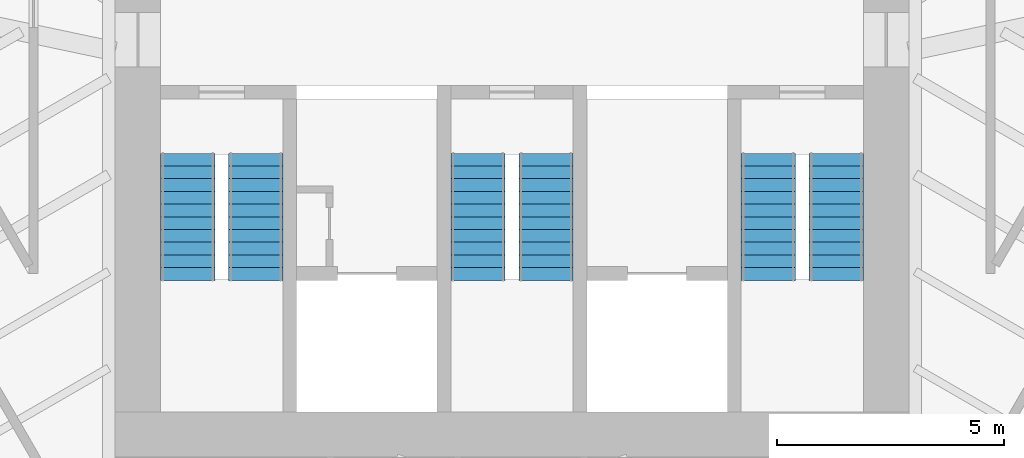
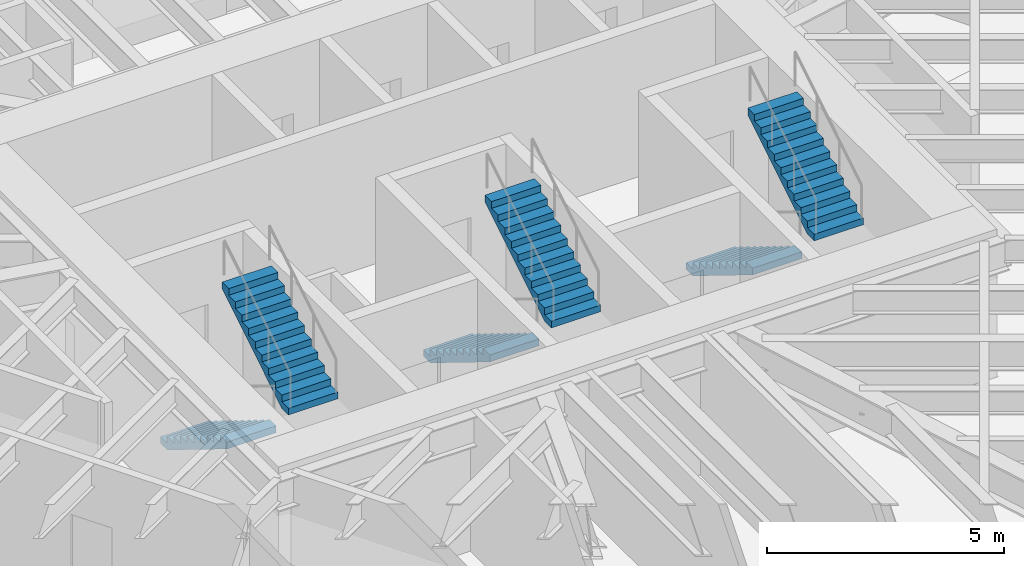
# One storey, part 15 of 16: 6 stair flights, 3 elements without a shape of their own.
"""IFC4 building model written with IfcOpenShell, lengths in metres."""

from ifc_helpers import new_model, si_unit, direction, frame, origin, place, context, subcontext, project, spatial, polyline, outline, extrude, material, type_object, element, aggregate, save


model = new_model("IFC4")

# Units and contexts
model_context = context("Model", 3, precision=1e-05, world=origin(), true_north=direction((0.0, 1.0)))
body_context = subcontext(model_context, "Body", "Model", "MODEL_VIEW")
ifc_project = project(units=[si_unit("LENGTHUNIT", "METRE"), si_unit("AREAUNIT", "SQUARE_METRE"), si_unit("VOLUMEUNIT", "CUBIC_METRE"), si_unit("PLANEANGLEUNIT", "RADIAN"), si_unit("MASSUNIT", "GRAM", prefix="KILO")], contexts=[model_context])

# Site, building, storey
site_placement = place(None, origin())
site = spatial("IfcSite", under=ifc_project, at=site_placement, CompositionType="ELEMENT")
building_placement = place(site_placement, origin())
building = spatial("IfcBuilding", under=site, at=building_placement, Name="Sandreach Pilgrim Tower", CompositionType="ELEMENT")
storey_placement = place(building_placement, frame((0.0, 0.0, 228.800048828125)))
storey = spatial("IfcBuildingStorey", under=building, at=storey_placement, Name="L57", CompositionType="ELEMENT", Elevation=228.800048828125)

# Stair, stair flights
ifc_material_1 = material(Name="Concrete 8000 psi", Category="concrete")
stair_type = type_object("IfcStairType", Name="Core exit stair", PredefinedType="HALF_TURN_STAIR", material=ifc_material_1)
stair_1_placement = place(storey_placement, origin())
stair_1 = element("IfcStair", 1, at=stair_1_placement, inside=storey, type_object=stair_type, Name="Exit stair ST1 L57", PredefinedType="HALF_TURN_STAIR")
ifc_material_2 = material(Name="Concrete 8000 psi", Category="concrete")
stair_flight_type = type_object("IfcStairFlightType", Name="Core stair flight 1200", PredefinedType="STRAIGHT", material=ifc_material_2)
stair_flight_1_placement = place(storey_placement, frame((-7.14990234375, -0.39990234375, 0.0), z_axis=(0.0, 0.0, 1.0), x_axis=(0.0, -1.0, 0.0)))
stair_flight_1 = element("IfcStairFlight", 2, at=stair_flight_1_placement, type_object=stair_flight_type, Name="ST1 flight 1", NumberOfRisers=11, NumberOfTreads=10, PredefinedType="STRAIGHT", RiserHeight=0.172727273, TreadLength=0.28, context=body_context, shape_type="SweptSolid", body=[
    extrude(outline(polyline([(0.0, 0.0), (0.0, 0.172607421875), (0.280029296875, 0.172607421875), (0.280029296875, 0.345458984375), (0.56005859375, 0.345458984375), (0.56005859375, 0.51806640625), (0.840087890625, 0.51806640625), (0.840087890625, 0.69091796875), (1.1201171875, 0.69091796875), (1.1201171875, 0.863525390625), (1.39990234375, 0.863525390625), (1.39990234375, 1.036376953125), (1.679931640625, 1.036376953125), (1.679931640625, 1.208984375), (1.9599609375, 1.208984375), (1.9599609375, 1.3818359375), (2.239990234375, 1.3818359375), (2.239990234375, 1.554443359375), (2.52001953125, 1.554443359375), (2.52001953125, 1.727294921875), (2.800048828125, 1.727294921875), (2.800048828125, 1.89990234375), (2.800048828125, 1.551025390625), (0.285400390625, 0.0), (0.0, 0.0)])), frame((0.0, 0.60009765625, 0.0), z_axis=(0.0, -1.0, 0.0), x_axis=(1.0, 0.0, 0.0)), (0.0, 0.0, 1.0), 1.199951171875),
])
stair_flight_2_placement = place(storey_placement, frame((-5.64990234375, -3.199951171875, 1.89990234375), z_axis=(0.0, 0.0, 1.0), x_axis=(0.0, 1.0, 0.0)))
stair_flight_2 = element("IfcStairFlight", 3, at=stair_flight_2_placement, type_object=stair_flight_type, Name="ST1 flight 2", NumberOfRisers=11, NumberOfTreads=10, PredefinedType="STRAIGHT", RiserHeight=0.172727273, TreadLength=0.28, context=body_context, shape_type="SweptSolid", body=[
    extrude(outline(polyline([(0.0, 0.0), (0.0, 0.172607421875), (0.280029296875, 0.172607421875), (0.280029296875, 0.345458984375), (0.56005859375, 0.345458984375), (0.56005859375, 0.51806640625), (0.840087890625, 0.51806640625), (0.840087890625, 0.69091796875), (1.1201171875, 0.69091796875), (1.1201171875, 0.863525390625), (1.39990234375, 0.863525390625), (1.39990234375, 1.036376953125), (1.679931640625, 1.036376953125), (1.679931640625, 1.208984375), (1.9599609375, 1.208984375), (1.9599609375, 1.3818359375), (2.239990234375, 1.3818359375), (2.239990234375, 1.554443359375), (2.52001953125, 1.554443359375), (2.52001953125, 1.727294921875), (2.800048828125, 1.727294921875), (2.800048828125, 1.89990234375), (2.800048828125, 1.551025390625), (0.285400390625, 0.0), (0.0, 0.0)])), frame((0.0, 0.60009765625, 0.0), z_axis=(0.0, -1.0, 0.0), x_axis=(1.0, 0.0, 0.0)), (0.0, 0.0, 1.0), 1.199951171875),
])
aggregate(stair_1, [stair_flight_1, stair_flight_2])

stair_2_placement = place(storey_placement, origin())
stair_2 = element("IfcStair", 4, at=stair_2_placement, inside=storey, type_object=stair_type, Name="Exit stair ST3 L57", PredefinedType="HALF_TURN_STAIR")
stair_flight_3_placement = place(storey_placement, frame((-0.75, -0.39990234375, 0.0), z_axis=(0.0, 0.0, 1.0), x_axis=(0.0, -1.0, 0.0)))
stair_flight_3 = element("IfcStairFlight", 5, at=stair_flight_3_placement, type_object=stair_flight_type, Name="ST3 flight 1", NumberOfRisers=11, NumberOfTreads=10, PredefinedType="STRAIGHT", RiserHeight=0.172727273, TreadLength=0.28, context=body_context, shape_type="SweptSolid", body=[
    extrude(outline(polyline([(0.0, 0.0), (0.0, 0.172607421875), (0.280029296875, 0.172607421875), (0.280029296875, 0.345458984375), (0.56005859375, 0.345458984375), (0.56005859375, 0.51806640625), (0.840087890625, 0.51806640625), (0.840087890625, 0.69091796875), (1.1201171875, 0.69091796875), (1.1201171875, 0.863525390625), (1.39990234375, 0.863525390625), (1.39990234375, 1.036376953125), (1.679931640625, 1.036376953125), (1.679931640625, 1.208984375), (1.9599609375, 1.208984375), (1.9599609375, 1.3818359375), (2.239990234375, 1.3818359375), (2.239990234375, 1.554443359375), (2.52001953125, 1.554443359375), (2.52001953125, 1.727294921875), (2.800048828125, 1.727294921875), (2.800048828125, 1.89990234375), (2.800048828125, 1.551025390625), (0.285400390625, 0.0), (0.0, 0.0)])), frame((0.0, 0.60009765625, 0.0), z_axis=(0.0, -1.0, 0.0), x_axis=(1.0, 0.0, 0.0)), (0.0, 0.0, 1.0), 1.199951171875),
])
stair_flight_4_placement = place(storey_placement, frame((0.75, -3.199951171875, 1.89990234375), z_axis=(0.0, 0.0, 1.0), x_axis=(0.0, 1.0, 0.0)))
stair_flight_4 = element("IfcStairFlight", 6, at=stair_flight_4_placement, type_object=stair_flight_type, Name="ST3 flight 2", NumberOfRisers=11, NumberOfTreads=10, PredefinedType="STRAIGHT", RiserHeight=0.172727273, TreadLength=0.28, context=body_context, shape_type="SweptSolid", body=[
    extrude(outline(polyline([(0.0, 0.0), (0.0, 0.172607421875), (0.280029296875, 0.172607421875), (0.280029296875, 0.345458984375), (0.56005859375, 0.345458984375), (0.56005859375, 0.51806640625), (0.840087890625, 0.51806640625), (0.840087890625, 0.69091796875), (1.1201171875, 0.69091796875), (1.1201171875, 0.863525390625), (1.39990234375, 0.863525390625), (1.39990234375, 1.036376953125), (1.679931640625, 1.036376953125), (1.679931640625, 1.208984375), (1.9599609375, 1.208984375), (1.9599609375, 1.3818359375), (2.239990234375, 1.3818359375), (2.239990234375, 1.554443359375), (2.52001953125, 1.554443359375), (2.52001953125, 1.727294921875), (2.800048828125, 1.727294921875), (2.800048828125, 1.89990234375), (2.800048828125, 1.551025390625), (0.285400390625, 0.0), (0.0, 0.0)])), frame((0.0, 0.60009765625, 0.0), z_axis=(0.0, -1.0, 0.0), x_axis=(1.0, 0.0, 0.0)), (0.0, 0.0, 1.0), 1.199951171875),
])
aggregate(stair_2, [stair_flight_3, stair_flight_4])

stair_3_placement = place(storey_placement, origin())
stair_3 = element("IfcStair", 7, at=stair_3_placement, inside=storey, type_object=stair_type, Name="Exit stair ST2 L57", PredefinedType="HALF_TURN_STAIR")
stair_flight_5_placement = place(storey_placement, frame((5.64990234375, -0.39990234375, 0.0), z_axis=(0.0, 0.0, 1.0), x_axis=(0.0, -1.0, 0.0)))
stair_flight_5 = element("IfcStairFlight", 8, at=stair_flight_5_placement, type_object=stair_flight_type, Name="ST2 flight 1", NumberOfRisers=11, NumberOfTreads=10, PredefinedType="STRAIGHT", RiserHeight=0.172727273, TreadLength=0.28, context=body_context, shape_type="SweptSolid", body=[
    extrude(outline(polyline([(0.0, 0.0), (0.0, 0.172607421875), (0.280029296875, 0.172607421875), (0.280029296875, 0.345458984375), (0.56005859375, 0.345458984375), (0.56005859375, 0.51806640625), (0.840087890625, 0.51806640625), (0.840087890625, 0.69091796875), (1.1201171875, 0.69091796875), (1.1201171875, 0.863525390625), (1.39990234375, 0.863525390625), (1.39990234375, 1.036376953125), (1.679931640625, 1.036376953125), (1.679931640625, 1.208984375), (1.9599609375, 1.208984375), (1.9599609375, 1.3818359375), (2.239990234375, 1.3818359375), (2.239990234375, 1.554443359375), (2.52001953125, 1.554443359375), (2.52001953125, 1.727294921875), (2.800048828125, 1.727294921875), (2.800048828125, 1.89990234375), (2.800048828125, 1.551025390625), (0.285400390625, 0.0), (0.0, 0.0)])), frame((0.0, 0.60009765625, 0.0), z_axis=(0.0, -1.0, 0.0), x_axis=(1.0, 0.0, 0.0)), (0.0, 0.0, 1.0), 1.199951171875),
])
stair_flight_6_placement = place(storey_placement, frame((7.14990234375, -3.199951171875, 1.89990234375), z_axis=(0.0, 0.0, 1.0), x_axis=(0.0, 1.0, 0.0)))
stair_flight_6 = element("IfcStairFlight", 9, at=stair_flight_6_placement, type_object=stair_flight_type, Name="ST2 flight 2", NumberOfRisers=11, NumberOfTreads=10, PredefinedType="STRAIGHT", RiserHeight=0.172727273, TreadLength=0.28, context=body_context, shape_type="SweptSolid", body=[
    extrude(outline(polyline([(0.0, 0.0), (0.0, 0.172607421875), (0.280029296875, 0.172607421875), (0.280029296875, 0.345458984375), (0.56005859375, 0.345458984375), (0.56005859375, 0.51806640625), (0.840087890625, 0.51806640625), (0.840087890625, 0.69091796875), (1.1201171875, 0.69091796875), (1.1201171875, 0.863525390625), (1.39990234375, 0.863525390625), (1.39990234375, 1.036376953125), (1.679931640625, 1.036376953125), (1.679931640625, 1.208984375), (1.9599609375, 1.208984375), (1.9599609375, 1.3818359375), (2.239990234375, 1.3818359375), (2.239990234375, 1.554443359375), (2.52001953125, 1.554443359375), (2.52001953125, 1.727294921875), (2.800048828125, 1.727294921875), (2.800048828125, 1.89990234375), (2.800048828125, 1.551025390625), (0.285400390625, 0.0), (0.0, 0.0)])), frame((0.0, 0.60009765625, 0.0), z_axis=(0.0, -1.0, 0.0), x_axis=(1.0, 0.0, 0.0)), (0.0, 0.0, 1.0), 1.199951171875),
])
aggregate(stair_3, [stair_flight_5, stair_flight_6])

save(model, "model.ifc")
